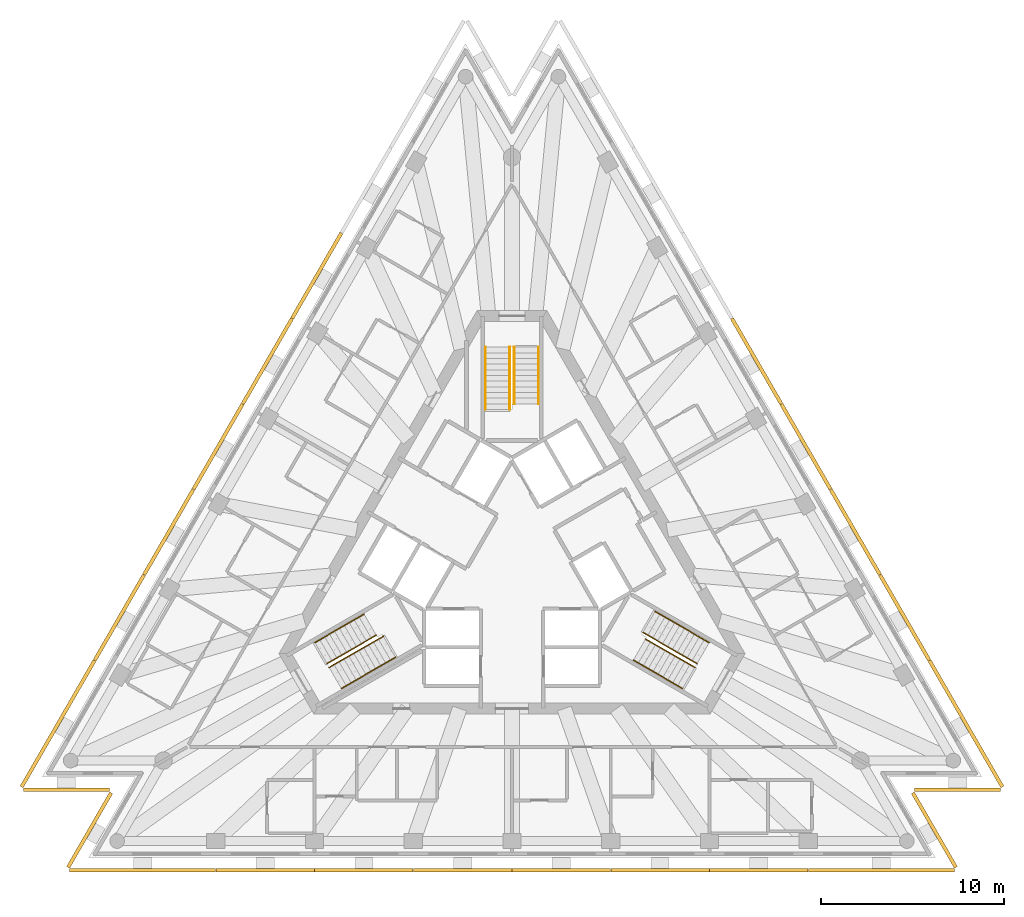
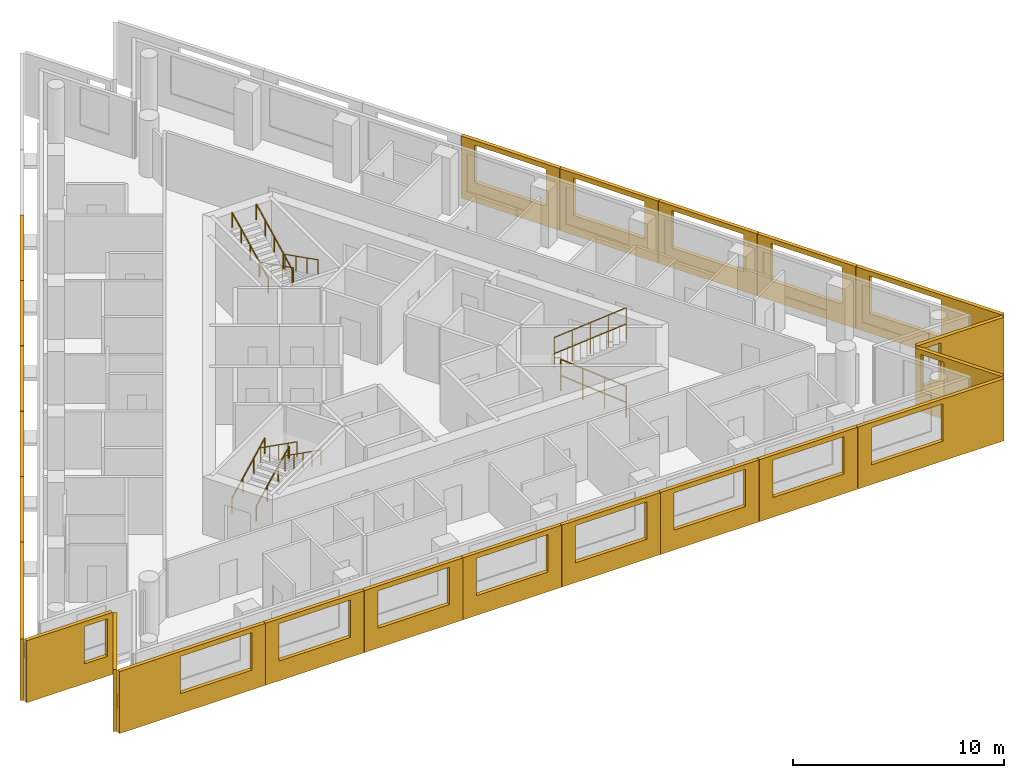
# One storey, part 9 of 10: 23 shading devices, 12 railings, 3 elements without a shape of their own.
"""IFC4 building model written with IfcOpenShell, lengths in metres."""

import ifcopenshell
import ifcopenshell.guid

model = None  # the IFC model being written
_history = None  # IfcOwnerHistory: only IFC2X3 demands one
_inside = {}  # id of a spatial element -> (the spatial element, [elements in it])
_under = {}  # id of a project, library or spatial element -> (it, [spatial elements below it])
_declared = {}  # id of a project -> (the project, [libraries it declares])
_typed = {}  # id of a type object -> (the type object, [elements of that type])
_made_of = {}  # id of a material, layer set ... -> (it, [elements and type objects made of it])


def new_model(schema):
    """Start an empty IFC model of exactly this schema.

    Asked for "IFC4X3", IfcOpenShell would pick the latest addendum, in which some entities
    have other attributes; the version numbers below select the first issue.
    IFC2X3 requires an IfcOwnerHistory on every rooted entity: one is made here for all.
    """
    global model, _history
    if schema == "IFC4X3":
        model = ifcopenshell.file(schema_version=(4, 3, 0, 0))
    else:
        model = ifcopenshell.file(schema=schema)
    _inside.clear()
    _under.clear()
    _declared.clear()
    _typed.clear()
    _made_of.clear()
    _history = None
    if model.schema == "IFC2X3":
        org = make("IfcOrganization", Name="unknown")
        user = make(
            "IfcPersonAndOrganization",
            ThePerson=make("IfcPerson", FamilyName="unknown"),
            TheOrganization=org,
        )
        app = make(
            "IfcApplication",
            ApplicationDeveloper=org,
            Version="unknown",
            ApplicationFullName="unknown",
            ApplicationIdentifier="unknown",
        )
        _history = make(
            "IfcOwnerHistory",
            OwningUser=user,
            OwningApplication=app,
            ChangeAction="ADDED",
            CreationDate=0,
        )
    return model


def make(cls, **values):
    """One entity of the class cls with the attributes given. An attribute that is None is left unset."""
    return model.create_entity(
        cls, **{name: value for name, value in values.items() if value is not None}
    )


def rooted(cls, **values):
    """An entity with a GlobalId (a new one), such as an element, a storey or a relation."""
    return make(cls, GlobalId=ifcopenshell.guid.new(), OwnerHistory=_history, **values)


def si_unit(unit_type, name, prefix=None):
    """IfcSIUnit, for example si_unit("LENGTHUNIT", "METRE", prefix="MILLI")."""
    return make("IfcSIUnit", UnitType=unit_type, Prefix=prefix, Name=name)


def assignment(units):
    """IfcUnitAssignment: the units of a project."""
    return None if units is None else make("IfcUnitAssignment", Units=units)


def point(xyz):
    """IfcCartesianPoint."""
    return None if xyz is None else make("IfcCartesianPoint", Coordinates=xyz)


def direction(xyz):
    """IfcDirection."""
    return None if xyz is None else make("IfcDirection", DirectionRatios=xyz)


def frame(location, z_axis=None, x_axis=None):
    """IfcAxis2Placement3D, a coordinate frame: its origin and axes. An axis left out is left unset."""
    return make(
        "IfcAxis2Placement3D",
        Location=point(location),
        Axis=direction(z_axis),
        RefDirection=direction(x_axis),
    )


def frame_2d(location, x_axis=None):
    """IfcAxis2Placement2D, a coordinate frame in the plane: its origin and x axis."""
    return make(
        "IfcAxis2Placement2D", Location=point(location), RefDirection=direction(x_axis)
    )


def origin():
    """The frame at (0, 0, 0) with its axes left unset."""
    return frame((0.0, 0.0, 0.0))


def origin_2d():
    """The frame at (0, 0) in the plane with its x axis left unset."""
    return frame_2d((0.0, 0.0))


def place(relative_to, where):
    """IfcLocalPlacement: puts the frame where relative to a parent placement (None: the world)."""
    return make(
        "IfcLocalPlacement", PlacementRelTo=relative_to, RelativePlacement=where
    )


def context(
    kind, dimensions, precision=None, world=None, true_north=None, identifier=None
):
    """IfcGeometricRepresentationContext, for example the 3D "Model" context."""
    return make(
        "IfcGeometricRepresentationContext",
        ContextIdentifier=identifier,
        ContextType=kind,
        CoordinateSpaceDimension=dimensions,
        Precision=precision,
        WorldCoordinateSystem=world,
        TrueNorth=true_north,
    )


def subcontext(parent, identifier, kind, view, scale=None):
    """IfcGeometricRepresentationSubContext, for example "Body" below "Model"."""
    return make(
        "IfcGeometricRepresentationSubContext",
        ContextIdentifier=identifier,
        ContextType=kind,
        ParentContext=parent,
        TargetScale=scale,
        TargetView=view,
    )


def project(units=None, contexts=None):
    """IfcProject with its units and contexts."""
    return rooted(
        "IfcProject",
        Name="project",
        RepresentationContexts=contexts,
        UnitsInContext=assignment(units),
    )


def spatial(cls, under=None, at=None, **own):
    """A site, building, storey or space (cls), placed at a placement, below another one or the project."""
    s = rooted(cls, ObjectPlacement=at, **own)
    if under is not None:
        _under.setdefault(under.id(), (under, []))[1].append(s)
    return s


def polyline(points):
    """IfcPolyline through the points."""
    return make("IfcPolyline", Points=[point(p) for p in points])


def profile(cls, at=None, kind="AREA", **sizes):
    """A parametric profile (cls). Its sizes go by their IFC names, for example OverallWidth=200.0."""
    return make(cls, ProfileType=kind, Position=at, **sizes)


def circle(**sizes):
    """IfcCircleProfileDef."""
    return profile("IfcCircleProfileDef", **sizes)


def outline(outer, holes=None, kind="AREA"):
    """IfcArbitraryClosedProfileDef: a profile drawn as a closed curve; with holes, ...WithVoids."""
    if holes is None:
        return make("IfcArbitraryClosedProfileDef", ProfileType=kind, OuterCurve=outer)
    return make(
        "IfcArbitraryProfileDefWithVoids",
        ProfileType=kind,
        OuterCurve=outer,
        InnerCurves=holes,
    )


def extrude(swept, where, along, depth):
    """IfcExtrudedAreaSolid: the profile swept, set in the frame where, extruded along a direction by depth."""
    return make(
        "IfcExtrudedAreaSolid",
        SweptArea=swept,
        Position=where,
        ExtrudedDirection=direction(along),
        Depth=depth,
    )


def shape(context_of_items, identifier, shape_type, items):
    """IfcShapeRepresentation: the items that make up one representation, for example the "Body"."""
    return make(
        "IfcShapeRepresentation",
        ContextOfItems=context_of_items,
        RepresentationIdentifier=identifier,
        RepresentationType=shape_type,
        Items=items,
    )


def material(Name=None, Category=None):
    """IfcMaterial."""
    return make("IfcMaterial", Name=Name, Category=Category)


def layer(
    of_material, thickness, ventilated=None, Name=None, Category=None, Priority=None
):
    """IfcMaterialLayer: one layer of a wall or slab, of a material (None: an air gap)."""
    return make(
        "IfcMaterialLayer",
        Material=of_material,
        LayerThickness=thickness,
        IsVentilated=ventilated,
        Name=Name,
        Category=Category,
        Priority=Priority,
    )


def layer_set(layers, Name=None):
    """IfcMaterialLayerSet."""
    return make("IfcMaterialLayerSet", MaterialLayers=layers, LayerSetName=Name)


def made_of(thing, what):
    """Note that an element or type object is made of a material, layer set ...; save() writes the relation."""
    if what is not None:
        _made_of.setdefault(what.id(), (what, []))[1].append(thing)
    return thing


def type_object(cls, material=None, **own):
    """A type object (cls), such as IfcWallType, which elements share."""
    return made_of(rooted(cls, **own), material)


def element(
    cls,
    number,
    at=None,
    inside=None,
    cuts=None,
    type_object=None,
    material=None,
    context=None,
    identifier="Body",
    shape_type=None,
    held_by="IfcProductDefinitionShape",
    body=None,
    shapes=None,
    **own,
):
    """One element of the class cls, such as IfcWall. Its Tag is "e" and its number.

    at: its placement. inside: the storey or other place that contains it. cuts: it is an
    opening in that element (IfcRelVoidsElement). A single representation is given by context,
    identifier, shape_type and body (its items); several are given by shapes. held_by: the class
    of the entity that holds the representations. save() writes the other relations.
    """
    e = rooted(cls, Tag="e%d" % number, ObjectPlacement=at, **own)
    if body is not None:
        shapes = [shape(context, identifier, shape_type, body)]
    if shapes is not None:
        e.Representation = make(held_by, Representations=shapes)
    if inside is not None:
        _inside.setdefault(inside.id(), (inside, []))[1].append(e)
    if cuts is not None:
        rooted(
            "IfcRelVoidsElement", RelatingBuildingElement=cuts, RelatedOpeningElement=e
        )
    if type_object is not None:
        _typed.setdefault(type_object.id(), (type_object, []))[1].append(e)
    return made_of(e, material)


def aggregate(whole, parts):
    """IfcRelAggregates: a whole, such as a stair, and the parts it consists of."""
    return rooted("IfcRelAggregates", RelatingObject=whole, RelatedObjects=parts)


def save(model, path):
    """Write the relations noted so far, then the file.

    IfcRelAggregates (storeys below a building ...), IfcRelContainedInSpatialStructure (elements
    in a storey), IfcRelDefinesByType, IfcRelAssociatesMaterial and IfcRelDeclares: one each for
    every whole, place, type object, material and project.
    """
    for whole, parts in _under.values():
        aggregate(whole, parts)
    for where, things in _inside.values():
        rooted(
            "IfcRelContainedInSpatialStructure",
            RelatedElements=things,
            RelatingStructure=where,
        )
    for kind, things in _typed.values():
        rooted("IfcRelDefinesByType", RelatedObjects=things, RelatingType=kind)
    for what, things in _made_of.values():
        rooted("IfcRelAssociatesMaterial", RelatedObjects=things, RelatingMaterial=what)
    for by, libraries in _declared.values():
        rooted("IfcRelDeclares", RelatingContext=by, RelatedDefinitions=libraries)
    model.write(path)


model = new_model("IFC4")

# Units and contexts
model_context = context("Model", 3, precision=1e-05, world=origin(), true_north=direction((0.0, 1.0)))
body_context = subcontext(model_context, "Body", "Model", "MODEL_VIEW")
ifc_project = project(units=[si_unit("LENGTHUNIT", "METRE"), si_unit("AREAUNIT", "SQUARE_METRE"), si_unit("VOLUMEUNIT", "CUBIC_METRE"), si_unit("PLANEANGLEUNIT", "RADIAN"), si_unit("MASSUNIT", "GRAM", prefix="KILO")], contexts=[model_context])

# Site, building, storey
site_placement = place(None, origin())
site = spatial("IfcSite", under=ifc_project, at=site_placement, CompositionType="ELEMENT")
building_placement = place(site_placement, origin())
building = spatial("IfcBuilding", under=site, at=building_placement, Name="Triada Interchange Tower", CompositionType="ELEMENT")
storey_placement = place(building_placement, frame((0.0, 0.0, 289.89990234375)))
storey = spatial("IfcBuildingStorey", under=building, at=storey_placement, Name="L68", CompositionType="ELEMENT", Elevation=289.89990234375)

# Shading devices
ifc_material_1 = material(Name="Concrete C50/60 precast", Category="concrete")
ifc_layer_1 = layer(ifc_material_1, 0.02001953125, Name="Exposed aggregate face")
ifc_layer_2 = layer(ifc_material_1, 0.179931640625, Name="Precast concrete screen")
ifc_layer_set = layer_set([ifc_layer_1, ifc_layer_2], Name="Outer skin screen panel 3580")
shading_device_type = type_object("IfcShadingDeviceType", Name="Outer skin screen panel 3580", PredefinedType="SHUTTER", material=ifc_layer_set)
shading_device_1_placement = place(storey_placement, frame((-9.238037109375, 17.780029296875, -0.289794921875), z_axis=(0.0, 0.0, 1.0), x_axis=(-0.499920363698, -0.866071376943, 0.0)))
element("IfcShadingDevice", 1, at=shading_device_1_placement, inside=storey, type_object=shading_device_type, Name="Outer skin screen panel L68 03", PredefinedType="SHUTTER", context=body_context, shape_type="SweptSolid", body=[
    extrude(outline(polyline([(0.0, 0.0), (5.375, 0.0), (5.375, 3.579833984375), (0.0, 3.579833984375), (0.0, 0.0)]), holes=[polyline([(0.737548828125, 1.139892578125), (0.737548828125, 3.300048828125), (4.6376953125, 3.300048828125), (4.6376953125, 1.139892578125), (0.737548828125, 1.139892578125)])]), frame((0.0, 0.0, 0.0), z_axis=(0.0, -1.0, 0.0), x_axis=(1.0, 0.0, 0.0)), (0.0, 0.0, 1.0), 0.199951171875),
])
shading_device_2_placement = place(storey_placement, frame((-11.93505859375, 13.10791015625, -0.289794921875), z_axis=(0.0, 0.0, 1.0), x_axis=(-0.500018712038, -0.866014600115, 0.0)))
element("IfcShadingDevice", 2, at=shading_device_2_placement, inside=storey, type_object=shading_device_type, Name="Outer skin screen panel L68 04", PredefinedType="SHUTTER", context=body_context, shape_type="SweptSolid", body=[
    extrude(outline(polyline([(0.0, 0.0), (5.373779296875, 0.0), (5.373779296875, 3.579833984375), (0.0, 3.579833984375), (0.0, 0.0)]), holes=[polyline([(0.737060546875, 1.139892578125), (0.737060546875, 3.300048828125), (4.63720703125, 3.300048828125), (4.63720703125, 1.139892578125), (0.737060546875, 1.139892578125)])]), frame((0.0, 0.0, 0.0), z_axis=(0.0, -1.0, 0.0), x_axis=(1.0, 0.0, 0.0)), (0.0, 0.0, 1.0), 0.199951171875),
])
shading_device_3_placement = place(storey_placement, frame((-14.632080078125, 8.43603515625, -0.289794921875), z_axis=(0.0, 0.0, 1.0), x_axis=(-0.49999903979, -0.866025958161, 0.0)))
element("IfcShadingDevice", 3, at=shading_device_3_placement, inside=storey, type_object=shading_device_type, Name="Outer skin screen panel L68 05", PredefinedType="SHUTTER", context=body_context, shape_type="SweptSolid", body=[
    extrude(outline(polyline([(0.0, 0.0), (5.3740234375, 0.0), (5.3740234375, 3.579833984375), (0.0, 3.579833984375), (0.0, 0.0)]), holes=[polyline([(0.737548828125, 1.139892578125), (0.737548828125, 3.300048828125), (4.6376953125, 3.300048828125), (4.6376953125, 1.139892578125), (0.737548828125, 1.139892578125)])]), frame((0.0, 0.0, 0.0), z_axis=(0.0, -1.0, 0.0), x_axis=(1.0, 0.0, 0.0)), (0.0, 0.0, 1.0), 0.199951171875),
])
shading_device_4_placement = place(storey_placement, frame((-17.3291015625, 3.764892578125, -0.289794921875), z_axis=(0.0, 0.0, 1.0), x_axis=(-0.500076296064, -0.86598134975, 0.0)))
element("IfcShadingDevice", 4, at=shading_device_4_placement, inside=storey, type_object=shading_device_type, Name="Outer skin screen panel L68 06", PredefinedType="SHUTTER", context=body_context, shape_type="SweptSolid", body=[
    extrude(outline(polyline([(0.0, 0.0), (5.375244140625, 0.0), (5.375244140625, 3.579833984375), (0.0, 3.579833984375), (0.0, 0.0)]), holes=[polyline([(0.737060546875, 1.139892578125), (0.737060546875, 3.300048828125), (4.63720703125, 3.300048828125), (4.63720703125, 1.139892578125), (0.737060546875, 1.139892578125)])]), frame((0.0, 0.0, 0.0), z_axis=(0.0, -1.0, 0.0), x_axis=(1.0, 0.0, 0.0)), (0.0, 0.0, 1.0), 0.199951171875),
])
shading_device_5_placement = place(storey_placement, frame((-20.027099609375, -0.906982421875, -0.289794921875), z_axis=(0.0, 0.0, 1.0), x_axis=(-0.499920363698, -0.866071376943, 0.0)))
element("IfcShadingDevice", 5, at=shading_device_5_placement, inside=storey, type_object=shading_device_type, Name="Outer skin screen panel L68 07", PredefinedType="SHUTTER", context=body_context, shape_type="SweptSolid", body=[
    extrude(outline(polyline([(0.0, 0.0), (5.375, 0.0), (5.375, 3.579833984375), (0.0, 3.579833984375), (0.0, 0.0)]), holes=[polyline([(0.737548828125, 1.139892578125), (0.737548828125, 3.300048828125), (4.6376953125, 3.300048828125), (4.6376953125, 1.139892578125), (0.737548828125, 1.139892578125)])]), frame((0.0, 0.0, 0.0), z_axis=(0.0, -1.0, 0.0), x_axis=(1.0, 0.0, 0.0)), (0.0, 0.0, 1.0), 0.199951171875),
])
shading_device_6_placement = place(storey_placement, frame((-22.72412109375, -5.5791015625, -0.289794921875), z_axis=(0.0, 0.0, 1.0), x_axis=(-0.49999285859, -0.86602952684, 0.0)))
element("IfcShadingDevice", 6, at=shading_device_6_placement, inside=storey, type_object=shading_device_type, Name="Outer skin screen panel L68 08", PredefinedType="SHUTTER", context=body_context, shape_type="SweptSolid", body=[
    extrude(outline(polyline([(0.0, 0.0), (7.9716796875, 0.0), (7.9716796875, 3.579833984375), (0.0, 3.579833984375), (0.0, 0.0)]), holes=[polyline([(0.7373046875, 1.139892578125), (0.7373046875, 3.300048828125), (4.63720703125, 3.300048828125), (4.63720703125, 1.139892578125), (0.7373046875, 1.139892578125)])]), frame((0.0, 0.0, 0.0), z_axis=(0.0, -1.0, 0.0), x_axis=(1.0, 0.0, 0.0)), (0.0, 0.0, 1.0), 0.199951171875),
])
shading_device_7_placement = place(storey_placement, frame((-26.705078125, -12.491943359375, -0.289794921875), z_axis=(0.0, 0.0, 1.0), x_axis=(1.0, 0.0, 0.0)))
element("IfcShadingDevice", 7, at=shading_device_7_placement, inside=storey, type_object=shading_device_type, Name="Outer skin screen panel L68 09", PredefinedType="SHUTTER", context=body_context, shape_type="SweptSolid", body=[
    extrude(outline(polyline([(0.0, 0.0), (4.712158203125, 0.0), (4.712158203125, 3.579833984375), (0.0, 3.579833984375), (0.0, 0.0)]), holes=[polyline([(3.175048828125, 1.139892578125), (3.175048828125, 3.300048828125), (4.412109375, 3.300048828125), (4.412109375, 1.139892578125), (3.175048828125, 1.139892578125)])]), frame((0.0, 0.0, 0.0), z_axis=(0.0, -1.0, 0.0), x_axis=(1.0, 0.0, 0.0)), (0.0, 0.0, 1.0), 0.199951171875),
])
shading_device_8_placement = place(storey_placement, frame((-21.81396484375, -12.801025390625, -0.289794921875), z_axis=(0.0, 0.0, 1.0), x_axis=(-0.500051389167, -0.865995732202, 0.0)))
element("IfcShadingDevice", 8, at=shading_device_8_placement, inside=storey, type_object=shading_device_type, Name="Outer skin screen panel L68 10", PredefinedType="SHUTTER", context=body_context, shape_type="SweptSolid", body=[
    extrude(outline(polyline([(0.0, 0.0), (4.71142578125, 0.0), (4.71142578125, 3.579833984375), (0.0, 3.579833984375), (0.0, 0.0)]), holes=[polyline([(0.300048828125, 1.139892578125), (0.300048828125, 3.300048828125), (1.258056640625, 3.300048828125), (1.258056640625, 1.139892578125), (0.300048828125, 1.139892578125)])]), frame((0.0, 0.0, 0.0), z_axis=(0.0, -1.0, 0.0), x_axis=(1.0, 0.0, 0.0)), (0.0, 0.0, 1.0), 0.199951171875),
])
shading_device_9_placement = place(storey_placement, frame((-24.1650390625, -16.889892578125, -0.289794921875), z_axis=(0.0, 0.0, 1.0), x_axis=(1.0, 0.0, 0.0)))
element("IfcShadingDevice", 9, at=shading_device_9_placement, inside=storey, type_object=shading_device_type, Name="Outer skin screen panel L68 11", PredefinedType="SHUTTER", context=body_context, shape_type="SweptSolid", body=[
    extrude(outline(polyline([(0.0, 0.0), (7.971923828125, 0.0), (7.971923828125, 3.579833984375), (0.0, 3.579833984375), (0.0, 0.0)]), holes=[polyline([(3.3349609375, 1.139892578125), (3.3349609375, 3.300048828125), (7.235107421875, 3.300048828125), (7.235107421875, 1.139892578125), (3.3349609375, 1.139892578125)])]), frame((0.0, 0.0, 0.0), z_axis=(0.0, -1.0, 0.0), x_axis=(1.0, 0.0, 0.0)), (0.0, 0.0, 1.0), 0.199951171875),
])
shading_device_10_placement = place(storey_placement, frame((-16.173095703125, -16.889892578125, -0.289794921875), z_axis=(0.0, 0.0, 1.0), x_axis=(1.0, 0.0, 0.0)))
element("IfcShadingDevice", 10, at=shading_device_10_placement, inside=storey, type_object=shading_device_type, Name="Outer skin screen panel L68 12", PredefinedType="SHUTTER", context=body_context, shape_type="SweptSolid", body=[
    extrude(outline(polyline([(0.0, 0.0), (5.375, 0.0), (5.375, 3.579833984375), (0.0, 3.579833984375), (0.0, 0.0)]), holes=[polyline([(0.73681640625, 1.139892578125), (0.73681640625, 3.300048828125), (4.63671875, 3.300048828125), (4.63671875, 1.139892578125), (0.73681640625, 1.139892578125)])]), frame((0.0, 0.0, 0.0), z_axis=(0.0, -1.0, 0.0), x_axis=(1.0, 0.0, 0.0)), (0.0, 0.0, 1.0), 0.199951171875),
])
shading_device_11_placement = place(storey_placement, frame((-10.779052734375, -16.889892578125, -0.289794921875), z_axis=(0.0, 0.0, 1.0), x_axis=(1.0, 0.0, 0.0)))
element("IfcShadingDevice", 11, at=shading_device_11_placement, inside=storey, type_object=shading_device_type, Name="Outer skin screen panel L68 13", PredefinedType="SHUTTER", context=body_context, shape_type="SweptSolid", body=[
    extrude(outline(polyline([(0.0, 0.0), (5.375, 0.0), (5.375, 3.579833984375), (0.0, 3.579833984375), (0.0, 0.0)]), holes=[polyline([(0.737548828125, 1.139892578125), (0.737548828125, 3.300048828125), (4.637451171875, 3.300048828125), (4.637451171875, 1.139892578125), (0.737548828125, 1.139892578125)])]), frame((0.0, 0.0, 0.0), z_axis=(0.0, -1.0, 0.0), x_axis=(1.0, 0.0, 0.0)), (0.0, 0.0, 1.0), 0.199951171875),
])
shading_device_12_placement = place(storey_placement, frame((-5.384033203125, -16.889892578125, -0.289794921875), z_axis=(0.0, 0.0, 1.0), x_axis=(1.0, 0.0, 0.0)))
element("IfcShadingDevice", 12, at=shading_device_12_placement, inside=storey, type_object=shading_device_type, Name="Outer skin screen panel L68 14", PredefinedType="SHUTTER", context=body_context, shape_type="SweptSolid", body=[
    extrude(outline(polyline([(0.0, 0.0), (5.3740234375, 0.0), (5.3740234375, 3.579833984375), (0.0, 3.579833984375), (0.0, 0.0)]), holes=[polyline([(0.7373046875, 1.139892578125), (0.7373046875, 3.300048828125), (4.63720703125, 3.300048828125), (4.63720703125, 1.139892578125), (0.7373046875, 1.139892578125)])]), frame((0.0, 0.0, 0.0), z_axis=(0.0, -1.0, 0.0), x_axis=(1.0, 0.0, 0.0)), (0.0, 0.0, 1.0), 0.199951171875),
])
shading_device_13_placement = place(storey_placement, frame((0.010009765625, -16.889892578125, -0.289794921875), z_axis=(0.0, 0.0, 1.0), x_axis=(1.0, 0.0, 0.0)))
element("IfcShadingDevice", 13, at=shading_device_13_placement, inside=storey, type_object=shading_device_type, Name="Outer skin screen panel L68 15", PredefinedType="SHUTTER", context=body_context, shape_type="SweptSolid", body=[
    extrude(outline(polyline([(0.0, 0.0), (5.3740234375, 0.0), (5.3740234375, 3.579833984375), (0.0, 3.579833984375), (0.0, 0.0)]), holes=[polyline([(0.737060546875, 1.139892578125), (0.737060546875, 3.300048828125), (4.636962890625, 3.300048828125), (4.636962890625, 1.139892578125), (0.737060546875, 1.139892578125)])]), frame((0.0, 0.0, 0.0), z_axis=(0.0, -1.0, 0.0), x_axis=(1.0, 0.0, 0.0)), (0.0, 0.0, 1.0), 0.199951171875),
])
shading_device_14_placement = place(storey_placement, frame((5.404052734375, -16.889892578125, -0.289794921875), z_axis=(0.0, 0.0, 1.0), x_axis=(1.0, 0.0, 0.0)))
element("IfcShadingDevice", 14, at=shading_device_14_placement, inside=storey, type_object=shading_device_type, Name="Outer skin screen panel L68 16", PredefinedType="SHUTTER", context=body_context, shape_type="SweptSolid", body=[
    extrude(outline(polyline([(0.0, 0.0), (5.375, 0.0), (5.375, 3.579833984375), (0.0, 3.579833984375), (0.0, 0.0)]), holes=[polyline([(0.73681640625, 1.139892578125), (0.73681640625, 3.300048828125), (4.63671875, 3.300048828125), (4.63671875, 1.139892578125), (0.73681640625, 1.139892578125)])]), frame((0.0, 0.0, 0.0), z_axis=(0.0, -1.0, 0.0), x_axis=(1.0, 0.0, 0.0)), (0.0, 0.0, 1.0), 0.199951171875),
])
shading_device_15_placement = place(storey_placement, frame((10.798095703125, -16.889892578125, -0.289794921875), z_axis=(0.0, 0.0, 1.0), x_axis=(1.0, 0.0, 0.0)))
element("IfcShadingDevice", 15, at=shading_device_15_placement, inside=storey, type_object=shading_device_type, Name="Outer skin screen panel L68 17", PredefinedType="SHUTTER", context=body_context, shape_type="SweptSolid", body=[
    extrude(outline(polyline([(0.0, 0.0), (5.375, 0.0), (5.375, 3.579833984375), (0.0, 3.579833984375), (0.0, 0.0)]), holes=[polyline([(0.737548828125, 1.139892578125), (0.737548828125, 3.300048828125), (4.637451171875, 3.300048828125), (4.637451171875, 1.139892578125), (0.737548828125, 1.139892578125)])]), frame((0.0, 0.0, 0.0), z_axis=(0.0, -1.0, 0.0), x_axis=(1.0, 0.0, 0.0)), (0.0, 0.0, 1.0), 0.199951171875),
])
shading_device_16_placement = place(storey_placement, frame((16.193115234375, -16.889892578125, -0.289794921875), z_axis=(0.0, 0.0, 1.0), x_axis=(1.0, 0.0, 0.0)))
element("IfcShadingDevice", 16, at=shading_device_16_placement, inside=storey, type_object=shading_device_type, Name="Outer skin screen panel L68 18", PredefinedType="SHUTTER", context=body_context, shape_type="SweptSolid", body=[
    extrude(outline(polyline([(0.0, 0.0), (7.971923828125, 0.0), (7.971923828125, 3.579833984375), (0.0, 3.579833984375), (0.0, 0.0)]), holes=[polyline([(0.7373046875, 1.139892578125), (0.7373046875, 3.300048828125), (4.63720703125, 3.300048828125), (4.63720703125, 1.139892578125), (0.7373046875, 1.139892578125)])]), frame((0.0, 0.0, 0.0), z_axis=(0.0, -1.0, 0.0), x_axis=(1.0, 0.0, 0.0)), (0.0, 0.0, 1.0), 0.199951171875),
])
shading_device_17_placement = place(storey_placement, frame((24.169921875, -16.881103515625, -0.289794921875), z_axis=(0.0, 0.0, 1.0), x_axis=(-0.500051389167, 0.865995732202, 0.0)))
element("IfcShadingDevice", 17, at=shading_device_17_placement, inside=storey, type_object=shading_device_type, Name="Outer skin screen panel L68 19", PredefinedType="SHUTTER", context=body_context, shape_type="SweptSolid", body=[
    extrude(outline(polyline([(0.0, 0.0), (4.71142578125, 0.0), (4.71142578125, 3.579833984375), (0.0, 3.579833984375), (0.0, 0.0)]), holes=[polyline([(3.17529296875, 1.139892578125), (3.17529296875, 3.300048828125), (4.41162109375, 3.300048828125), (4.41162109375, 1.139892578125), (3.17529296875, 1.139892578125)])]), frame((0.0, 0.0, 0.0), z_axis=(0.0, -1.0, 0.0), x_axis=(1.0, 0.0, 0.0)), (0.0, 0.0, 1.0), 0.199951171875),
])
shading_device_18_placement = place(storey_placement, frame((21.992919921875, -12.491943359375, -0.289794921875), z_axis=(0.0, 0.0, 1.0), x_axis=(1.0, 0.0, 0.0)))
element("IfcShadingDevice", 18, at=shading_device_18_placement, inside=storey, type_object=shading_device_type, Name="Outer skin screen panel L68 20", PredefinedType="SHUTTER", context=body_context, shape_type="SweptSolid", body=[
    extrude(outline(polyline([(0.0, 0.0), (4.712158203125, 0.0), (4.712158203125, 3.579833984375), (0.0, 3.579833984375), (0.0, 0.0)]), holes=[polyline([(0.300048828125, 1.139892578125), (0.300048828125, 3.300048828125), (1.258056640625, 3.300048828125), (1.258056640625, 1.139892578125), (0.300048828125, 1.139892578125)])]), frame((0.0, 0.0, 0.0), z_axis=(0.0, -1.0, 0.0), x_axis=(1.0, 0.0, 0.0)), (0.0, 0.0, 1.0), 0.199951171875),
])
shading_device_19_placement = place(storey_placement, frame((26.7099609375, -12.48291015625, -0.289794921875), z_axis=(0.0, 0.0, 1.0), x_axis=(-0.49999285859, 0.86602952684, 0.0)))
element("IfcShadingDevice", 19, at=shading_device_19_placement, inside=storey, type_object=shading_device_type, Name="Outer skin screen panel L68 21", PredefinedType="SHUTTER", context=body_context, shape_type="SweptSolid", body=[
    extrude(outline(polyline([(0.0, 0.0), (7.9716796875, 0.0), (7.9716796875, 3.579833984375), (0.0, 3.579833984375), (0.0, 0.0)]), holes=[polyline([(3.335205078125, 1.139892578125), (3.335205078125, 3.300048828125), (7.2353515625, 3.300048828125), (7.2353515625, 1.139892578125), (3.335205078125, 1.139892578125)])]), frame((0.0, 0.0, 0.0), z_axis=(0.0, -1.0, 0.0), x_axis=(1.0, 0.0, 0.0)), (0.0, 0.0, 1.0), 0.199951171875),
])
shading_device_20_placement = place(storey_placement, frame((22.714111328125, -5.56201171875, -0.289794921875), z_axis=(0.0, 0.0, 1.0), x_axis=(-0.499920363698, 0.866071376943, 0.0)))
element("IfcShadingDevice", 20, at=shading_device_20_placement, inside=storey, type_object=shading_device_type, Name="Outer skin screen panel L68 22", PredefinedType="SHUTTER", context=body_context, shape_type="SweptSolid", body=[
    extrude(outline(polyline([(0.0, 0.0), (5.375, 0.0), (5.375, 3.579833984375), (0.0, 3.579833984375), (0.0, 0.0)]), holes=[polyline([(0.73681640625, 1.139892578125), (0.73681640625, 3.300048828125), (4.63671875, 3.300048828125), (4.63671875, 1.139892578125), (0.73681640625, 1.139892578125)])]), frame((0.0, 0.0, 0.0), z_axis=(0.0, -1.0, 0.0), x_axis=(1.0, 0.0, 0.0)), (0.0, 0.0, 1.0), 0.199951171875),
])
shading_device_21_placement = place(storey_placement, frame((20.01708984375, -0.889892578125, -0.289794921875), z_axis=(0.0, 0.0, 1.0), x_axis=(-0.500076296064, 0.86598134975, 0.0)))
element("IfcShadingDevice", 21, at=shading_device_21_placement, inside=storey, type_object=shading_device_type, Name="Outer skin screen panel L68 23", PredefinedType="SHUTTER", context=body_context, shape_type="SweptSolid", body=[
    extrude(outline(polyline([(0.0, 0.0), (5.375244140625, 0.0), (5.375244140625, 3.579833984375), (0.0, 3.579833984375), (0.0, 0.0)]), holes=[polyline([(0.7373046875, 1.139892578125), (0.7373046875, 3.300048828125), (4.63720703125, 3.300048828125), (4.63720703125, 1.139892578125), (0.7373046875, 1.139892578125)])]), frame((0.0, 0.0, 0.0), z_axis=(0.0, -1.0, 0.0), x_axis=(1.0, 0.0, 0.0)), (0.0, 0.0, 1.0), 0.199951171875),
])
shading_device_22_placement = place(storey_placement, frame((17.319091796875, 3.781982421875, -0.289794921875), z_axis=(0.0, 0.0, 1.0), x_axis=(-0.49999903979, 0.866025958161, 0.0)))
element("IfcShadingDevice", 22, at=shading_device_22_placement, inside=storey, type_object=shading_device_type, Name="Outer skin screen panel L68 24", PredefinedType="SHUTTER", context=body_context, shape_type="SweptSolid", body=[
    extrude(outline(polyline([(0.0, 0.0), (5.3740234375, 0.0), (5.3740234375, 3.579833984375), (0.0, 3.579833984375), (0.0, 0.0)]), holes=[polyline([(0.73681640625, 1.139892578125), (0.73681640625, 3.300048828125), (4.63671875, 3.300048828125), (4.63671875, 1.139892578125), (0.73681640625, 1.139892578125)])]), frame((0.0, 0.0, 0.0), z_axis=(0.0, -1.0, 0.0), x_axis=(1.0, 0.0, 0.0)), (0.0, 0.0, 1.0), 0.199951171875),
])
shading_device_23_placement = place(storey_placement, frame((14.6220703125, 8.4541015625, -0.289794921875), z_axis=(0.0, 0.0, 1.0), x_axis=(-0.500018712038, 0.866014600115, 0.0)))
element("IfcShadingDevice", 23, at=shading_device_23_placement, inside=storey, type_object=shading_device_type, Name="Outer skin screen panel L68 25", PredefinedType="SHUTTER", context=body_context, shape_type="SweptSolid", body=[
    extrude(outline(polyline([(0.0, 0.0), (5.373779296875, 0.0), (5.373779296875, 3.579833984375), (0.0, 3.579833984375), (0.0, 0.0)]), holes=[polyline([(0.7373046875, 1.139892578125), (0.7373046875, 3.300048828125), (4.63720703125, 3.300048828125), (4.63720703125, 1.139892578125), (0.7373046875, 1.139892578125)])]), frame((0.0, 0.0, 0.0), z_axis=(0.0, -1.0, 0.0), x_axis=(1.0, 0.0, 0.0)), (0.0, 0.0, 1.0), 0.199951171875),
])

# Stair, railings
ifc_material_2 = material(Name="Concrete C35/45", Category="concrete")
stair_type = type_object("IfcStairType", Name="HALF TURN STAIR 1400", PredefinedType="HALF_TURN_STAIR", material=ifc_material_2)
stair_1_placement = place(storey_placement, origin())
stair_1 = element("IfcStair", 24, at=stair_1_placement, inside=storey, type_object=stair_type, Name="Exit stair S68-1", PredefinedType="HALF_TURN_STAIR")
ifc_material_3 = material(Name="Stainless steel 1.4301", Category="steel")
railing_type = type_object("IfcRailingType", Name="STAIR HANDRAIL 900", PredefinedType="HANDRAIL", material=ifc_material_3)
railing_1_placement = place(storey_placement, frame((1.449951171875, 11.60009765625, 0.156494140625)))
railing_1 = element("IfcRailing", 25, at=railing_1_placement, type_object=railing_type, Name="Handrail S68-1 1W", PredefinedType="HANDRAIL", context=body_context, shape_type="SweptSolid", body=[
    extrude(circle(Radius=0.02392578125, at=origin_2d()), frame((0.0, 0.0, 0.8759765625), z_axis=(0.0, -0.89267693942, 0.450697106522), x_axis=(1.0, 0.0, 0.0)), (0.0, 0.0, 1.0), 3.472900390625),
    extrude(circle(Radius=0.02099609375, at=origin_2d()), origin(), (0.0, 0.0, 1.0), 0.851806640625),
    extrude(circle(Radius=0.02099609375, at=origin_2d()), frame((0.0, -1.033447265625, 0.521728515625)), (0.0, 0.0, 1.0), 0.851806640625),
    extrude(circle(Radius=0.02099609375, at=origin_2d()), frame((0.0, -2.066650390625, 1.04345703125)), (0.0, 0.0, 1.0), 0.851806640625),
    extrude(circle(Radius=0.02099609375, at=origin_2d()), frame((0.0, -3.10009765625, 1.565185546875)), (0.0, 0.0, 1.0), 0.851806640625),
])
railing_2_placement = place(storey_placement, frame((0.1201171875, 11.60009765625, 0.156494140625)))
railing_2 = element("IfcRailing", 26, at=railing_2_placement, type_object=railing_type, Name="Handrail S68-1 1C", PredefinedType="HANDRAIL", context=body_context, shape_type="SweptSolid", body=[
    extrude(circle(Radius=0.02392578125, at=origin_2d()), frame((0.0, 0.0, 0.8759765625), z_axis=(0.0, -0.89267693942, 0.450697106522), x_axis=(1.0, 0.0, 0.0)), (0.0, 0.0, 1.0), 3.472900390625),
    extrude(circle(Radius=0.02099609375, at=origin_2d()), origin(), (0.0, 0.0, 1.0), 0.851806640625),
    extrude(circle(Radius=0.02099609375, at=origin_2d()), frame((0.0, -1.033447265625, 0.521728515625)), (0.0, 0.0, 1.0), 0.851806640625),
    extrude(circle(Radius=0.02099609375, at=origin_2d()), frame((0.0, -2.066650390625, 1.04345703125)), (0.0, 0.0, 1.0), 0.851806640625),
    extrude(circle(Radius=0.02099609375, at=origin_2d()), frame((0.0, -3.10009765625, 1.565185546875)), (0.0, 0.0, 1.0), 0.851806640625),
])
railing_3_placement = place(storey_placement, frame((-1.449951171875, 8.18994140625, 1.87841796875)))
railing_3 = element("IfcRailing", 27, at=railing_3_placement, type_object=railing_type, Name="Handrail S68-1 2W", PredefinedType="HANDRAIL", context=body_context, shape_type="SweptSolid", body=[
    extrude(circle(Radius=0.02392578125, at=origin_2d()), frame((0.0, 0.0, 0.8759765625), z_axis=(0.0, 0.892682106939, 0.450686871287), x_axis=(-1.0, 0.0, 0.0)), (0.0, 0.0, 1.0), 3.820068359375),
    extrude(circle(Radius=0.02099609375, at=origin_2d()), origin(), (0.0, 0.0, 1.0), 0.851806640625),
    extrude(circle(Radius=0.02099609375, at=origin_2d()), frame((0.0, 0.8525390625, 0.430419921875)), (0.0, 0.0, 1.0), 0.851806640625),
    extrude(circle(Radius=0.02099609375, at=origin_2d()), frame((0.0, 1.705078125, 0.86083984375)), (0.0, 0.0, 1.0), 0.851806640625),
    extrude(circle(Radius=0.02099609375, at=origin_2d()), frame((0.0, 2.5576171875, 1.291259765625)), (0.0, 0.0, 1.0), 0.851806640625),
    extrude(circle(Radius=0.02099609375, at=origin_2d()), frame((0.0, 3.41015625, 1.7216796875)), (0.0, 0.0, 1.0), 0.851806640625),
])
railing_4_placement = place(storey_placement, frame((-0.1201171875, 8.18994140625, 1.87841796875)))
railing_4 = element("IfcRailing", 28, at=railing_4_placement, type_object=railing_type, Name="Handrail S68-1 2C", PredefinedType="HANDRAIL", context=body_context, shape_type="SweptSolid", body=[
    extrude(circle(Radius=0.02392578125, at=origin_2d()), frame((0.0, 0.0, 0.8759765625), z_axis=(0.0, 0.892682106939, 0.450686871287), x_axis=(-1.0, 0.0, 0.0)), (0.0, 0.0, 1.0), 3.820068359375),
    extrude(circle(Radius=0.02099609375, at=origin_2d()), origin(), (0.0, 0.0, 1.0), 0.851806640625),
    extrude(circle(Radius=0.02099609375, at=origin_2d()), frame((0.0, 0.8525390625, 0.430419921875)), (0.0, 0.0, 1.0), 0.851806640625),
    extrude(circle(Radius=0.02099609375, at=origin_2d()), frame((0.0, 1.705078125, 0.86083984375)), (0.0, 0.0, 1.0), 0.851806640625),
    extrude(circle(Radius=0.02099609375, at=origin_2d()), frame((0.0, 2.5576171875, 1.291259765625)), (0.0, 0.0, 1.0), 0.851806640625),
    extrude(circle(Radius=0.02099609375, at=origin_2d()), frame((0.0, 3.41015625, 1.7216796875)), (0.0, 0.0, 1.0), 0.851806640625),
])
aggregate(stair_1, [railing_1, railing_2, railing_3, railing_4])

stair_2_placement = place(storey_placement, origin())
stair_2 = element("IfcStair", 29, at=stair_2_placement, inside=storey, type_object=stair_type, Name="Exit stair S68-2", PredefinedType="HALF_TURN_STAIR")
railing_5_placement = place(storey_placement, frame((-10.77099609375, -4.5439453125, 0.156494140625)))
railing_5 = element("IfcRailing", 30, at=railing_5_placement, type_object=railing_type, Name="Handrail S68-2 1W", PredefinedType="HANDRAIL", context=body_context, shape_type="SweptSolid", body=[
    extrude(circle(Radius=0.02392578125, at=origin_2d()), frame((0.0, 0.0, 0.8759765625), z_axis=(0.773115112249, 0.446309133267, 0.4506674836), x_axis=(-0.499958760481, 0.866049212123, 0.0)), (0.0, 0.0, 1.0), 3.47314453125),
    extrude(circle(Radius=0.02099609375, at=origin_2d()), origin(), (0.0, 0.0, 1.0), 0.851806640625),
    extrude(circle(Radius=0.02099609375, at=origin_2d()), frame((0.89501953125, 0.5166015625, 0.521728515625)), (0.0, 0.0, 1.0), 0.851806640625),
    extrude(circle(Radius=0.02099609375, at=origin_2d()), frame((1.7900390625, 1.033447265625, 1.04345703125)), (0.0, 0.0, 1.0), 0.851806640625),
    extrude(circle(Radius=0.02099609375, at=origin_2d()), frame((2.68505859375, 1.550048828125, 1.565185546875)), (0.0, 0.0, 1.0), 0.851806640625),
])
railing_6_placement = place(storey_placement, frame((-10.10595703125, -5.696044921875, 0.156494140625)))
railing_6 = element("IfcRailing", 31, at=railing_6_placement, type_object=railing_type, Name="Handrail S68-2 1C", PredefinedType="HANDRAIL", context=body_context, shape_type="SweptSolid", body=[
    extrude(circle(Radius=0.02392578125, at=origin_2d()), frame((0.0, 0.0, 0.8759765625), z_axis=(0.773115112249, 0.446309133267, 0.4506674836), x_axis=(-0.499958760481, 0.866049212123, 0.0)), (0.0, 0.0, 1.0), 3.47314453125),
    extrude(circle(Radius=0.02099609375, at=origin_2d()), origin(), (0.0, 0.0, 1.0), 0.851806640625),
    extrude(circle(Radius=0.02099609375, at=origin_2d()), frame((0.89501953125, 0.5166015625, 0.521728515625)), (0.0, 0.0, 1.0), 0.851806640625),
    extrude(circle(Radius=0.02099609375, at=origin_2d()), frame((1.7900390625, 1.033447265625, 1.04345703125)), (0.0, 0.0, 1.0), 0.851806640625),
    extrude(circle(Radius=0.02099609375, at=origin_2d()), frame((2.68505859375, 1.550048828125, 1.565185546875)), (0.0, 0.0, 1.0), 0.851806640625),
])
railing_7_placement = place(storey_placement, frame((-6.367919921875, -5.35107421875, 1.87841796875)))
railing_7 = element("IfcRailing", 32, at=railing_7_placement, type_object=railing_type, Name="Handrail S68-2 2W", PredefinedType="HANDRAIL", context=body_context, shape_type="SweptSolid", body=[
    extrude(circle(Radius=0.02392578125, at=origin_2d()), frame((0.0, 0.0, 0.8759765625), z_axis=(-0.773090904651, -0.446304049866, 0.450714042625), x_axis=(0.499966231165, -0.866044899352, 0.0)), (0.0, 0.0, 1.0), 3.81982421875),
    extrude(circle(Radius=0.02099609375, at=origin_2d()), origin(), (0.0, 0.0, 1.0), 0.851806640625),
    extrude(circle(Radius=0.02099609375, at=origin_2d()), frame((-0.73828125, -0.42626953125, 0.430419921875)), (0.0, 0.0, 1.0), 0.851806640625),
    extrude(circle(Radius=0.02099609375, at=origin_2d()), frame((-1.4765625, -0.8525390625, 0.86083984375)), (0.0, 0.0, 1.0), 0.851806640625),
    extrude(circle(Radius=0.02099609375, at=origin_2d()), frame((-2.21484375, -1.278564453125, 1.291259765625)), (0.0, 0.0, 1.0), 0.851806640625),
    extrude(circle(Radius=0.02099609375, at=origin_2d()), frame((-2.953125, -1.704833984375, 1.7216796875)), (0.0, 0.0, 1.0), 0.851806640625),
])
railing_8_placement = place(storey_placement, frame((-7.032958984375, -4.198974609375, 1.87841796875)))
railing_8 = element("IfcRailing", 33, at=railing_8_placement, type_object=railing_type, Name="Handrail S68-2 2C", PredefinedType="HANDRAIL", context=body_context, shape_type="SweptSolid", body=[
    extrude(circle(Radius=0.02392578125, at=origin_2d()), frame((0.0, 0.0, 0.8759765625), z_axis=(-0.773068851904, -0.446355229968, 0.450701185816), x_axis=(0.50001992892, -0.866013897511, 0.0)), (0.0, 0.0, 1.0), 3.820068359375),
    extrude(circle(Radius=0.02099609375, at=origin_2d()), origin(), (0.0, 0.0, 1.0), 0.851806640625),
    extrude(circle(Radius=0.02099609375, at=origin_2d()), frame((-0.73828125, -0.42626953125, 0.430419921875)), (0.0, 0.0, 1.0), 0.851806640625),
    extrude(circle(Radius=0.02099609375, at=origin_2d()), frame((-1.4765625, -0.8525390625, 0.86083984375)), (0.0, 0.0, 1.0), 0.851806640625),
    extrude(circle(Radius=0.02099609375, at=origin_2d()), frame((-2.21484375, -1.27880859375, 1.291259765625)), (0.0, 0.0, 1.0), 0.851806640625),
    extrude(circle(Radius=0.02099609375, at=origin_2d()), frame((-2.953125, -1.705078125, 1.7216796875)), (0.0, 0.0, 1.0), 0.851806640625),
])
aggregate(stair_2, [railing_5, railing_6, railing_7, railing_8])

stair_3_placement = place(storey_placement, origin())
stair_3 = element("IfcStair", 34, at=stair_3_placement, inside=storey, type_object=stair_type, Name="Exit stair S68-3", PredefinedType="HALF_TURN_STAIR")
railing_9_placement = place(storey_placement, frame((9.321044921875, -7.055908203125, 0.156494140625)))
railing_9 = element("IfcRailing", 35, at=railing_9_placement, type_object=railing_type, Name="Handrail S68-3 1W", PredefinedType="HANDRAIL", context=body_context, shape_type="SweptSolid", body=[
    extrude(circle(Radius=0.02392578125, at=origin_2d()), frame((0.0, 0.0, 0.8759765625), z_axis=(-0.773139366989, 0.446252837029, 0.450681622274), x_axis=(-0.499899694197, -0.866083307622, 0.0)), (0.0, 0.0, 1.0), 3.472900390625),
    extrude(circle(Radius=0.02099609375, at=origin_2d()), origin(), (0.0, 0.0, 1.0), 0.851806640625),
    extrude(circle(Radius=0.02099609375, at=origin_2d()), frame((-0.89501953125, 0.5166015625, 0.521728515625)), (0.0, 0.0, 1.0), 0.851806640625),
    extrude(circle(Radius=0.02099609375, at=origin_2d()), frame((-1.7900390625, 1.033203125, 1.04345703125)), (0.0, 0.0, 1.0), 0.851806640625),
    extrude(circle(Radius=0.02099609375, at=origin_2d()), frame((-2.68505859375, 1.5498046875, 1.565185546875)), (0.0, 0.0, 1.0), 0.851806640625),
])
railing_10_placement = place(storey_placement, frame((9.986083984375, -5.904052734375, 0.156494140625)))
railing_10 = element("IfcRailing", 36, at=railing_10_placement, type_object=railing_type, Name="Handrail S68-3 1C", PredefinedType="HANDRAIL", context=body_context, shape_type="SweptSolid", body=[
    extrude(circle(Radius=0.02392578125, at=origin_2d()), frame((0.0, 0.0, 0.8759765625), z_axis=(-0.773115112249, 0.446309133267, 0.4506674836), x_axis=(-0.499958760481, -0.866049212123, 0.0)), (0.0, 0.0, 1.0), 3.47314453125),
    extrude(circle(Radius=0.02099609375, at=origin_2d()), origin(), (0.0, 0.0, 1.0), 0.851806640625),
    extrude(circle(Radius=0.02099609375, at=origin_2d()), frame((-0.89501953125, 0.5166015625, 0.521728515625)), (0.0, 0.0, 1.0), 0.851806640625),
    extrude(circle(Radius=0.02099609375, at=origin_2d()), frame((-1.7900390625, 1.033447265625, 1.04345703125)), (0.0, 0.0, 1.0), 0.851806640625),
    extrude(circle(Radius=0.02099609375, at=origin_2d()), frame((-2.68505859375, 1.550048828125, 1.565185546875)), (0.0, 0.0, 1.0), 0.851806640625),
])
railing_11_placement = place(storey_placement, frame((7.818115234375, -2.839111328125, 1.87841796875)))
railing_11 = element("IfcRailing", 37, at=railing_11_placement, type_object=railing_type, Name="Handrail S68-3 2W", PredefinedType="HANDRAIL", context=body_context, shape_type="SweptSolid", body=[
    extrude(circle(Radius=0.02392578125, at=origin_2d()), frame((0.0, 0.0, 0.8759765625), z_axis=(0.773065188623, -0.4463261027, 0.450736313367), x_axis=(0.499997234054, 0.866027000698, 0.0)), (0.0, 0.0, 1.0), 3.81982421875),
    extrude(circle(Radius=0.02099609375, at=origin_2d()), origin(), (0.0, 0.0, 1.0), 0.851806640625),
    extrude(circle(Radius=0.02099609375, at=origin_2d()), frame((0.73828125, -0.42626953125, 0.430419921875)), (0.0, 0.0, 1.0), 0.851806640625),
    extrude(circle(Radius=0.02099609375, at=origin_2d()), frame((1.4765625, -0.8525390625, 0.86083984375)), (0.0, 0.0, 1.0), 0.851806640625),
    extrude(circle(Radius=0.02099609375, at=origin_2d()), frame((2.214599609375, -1.278564453125, 1.291259765625)), (0.0, 0.0, 1.0), 0.851806640625),
    extrude(circle(Radius=0.02099609375, at=origin_2d()), frame((2.952880859375, -1.704833984375, 1.7216796875)), (0.0, 0.0, 1.0), 0.851806640625),
])
railing_12_placement = place(storey_placement, frame((7.153076171875, -3.990966796875, 1.87841796875)))
railing_12 = element("IfcRailing", 38, at=railing_12_placement, type_object=railing_type, Name="Handrail S68-3 2C", PredefinedType="HANDRAIL", context=body_context, shape_type="SweptSolid", body=[
    extrude(circle(Radius=0.02392578125, at=origin_2d()), frame((0.0, 0.0, 0.8759765625), z_axis=(0.773043134431, -0.446377284073, 0.450723454651), x_axis=(0.500050932918, 0.865995995653, 0.0)), (0.0, 0.0, 1.0), 3.81982421875),
    extrude(circle(Radius=0.02099609375, at=origin_2d()), origin(), (0.0, 0.0, 1.0), 0.851806640625),
    extrude(circle(Radius=0.02099609375, at=origin_2d()), frame((0.73828125, -0.42626953125, 0.430419921875)), (0.0, 0.0, 1.0), 0.851806640625),
    extrude(circle(Radius=0.02099609375, at=origin_2d()), frame((1.4765625, -0.8525390625, 0.86083984375)), (0.0, 0.0, 1.0), 0.851806640625),
    extrude(circle(Radius=0.02099609375, at=origin_2d()), frame((2.214599609375, -1.27880859375, 1.291259765625)), (0.0, 0.0, 1.0), 0.851806640625),
    extrude(circle(Radius=0.02099609375, at=origin_2d()), frame((2.952880859375, -1.705078125, 1.7216796875)), (0.0, 0.0, 1.0), 0.851806640625),
])
aggregate(stair_3, [railing_9, railing_10, railing_11, railing_12])

save(model, "model.ifc")
